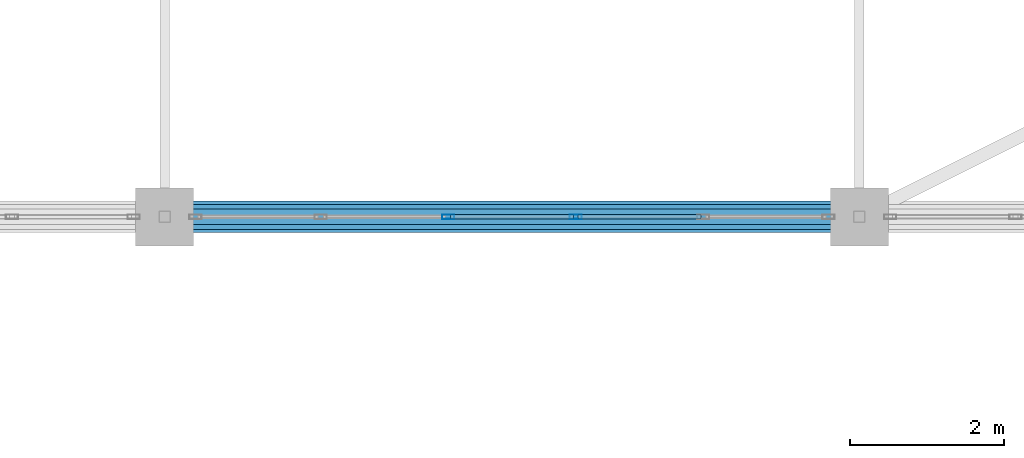
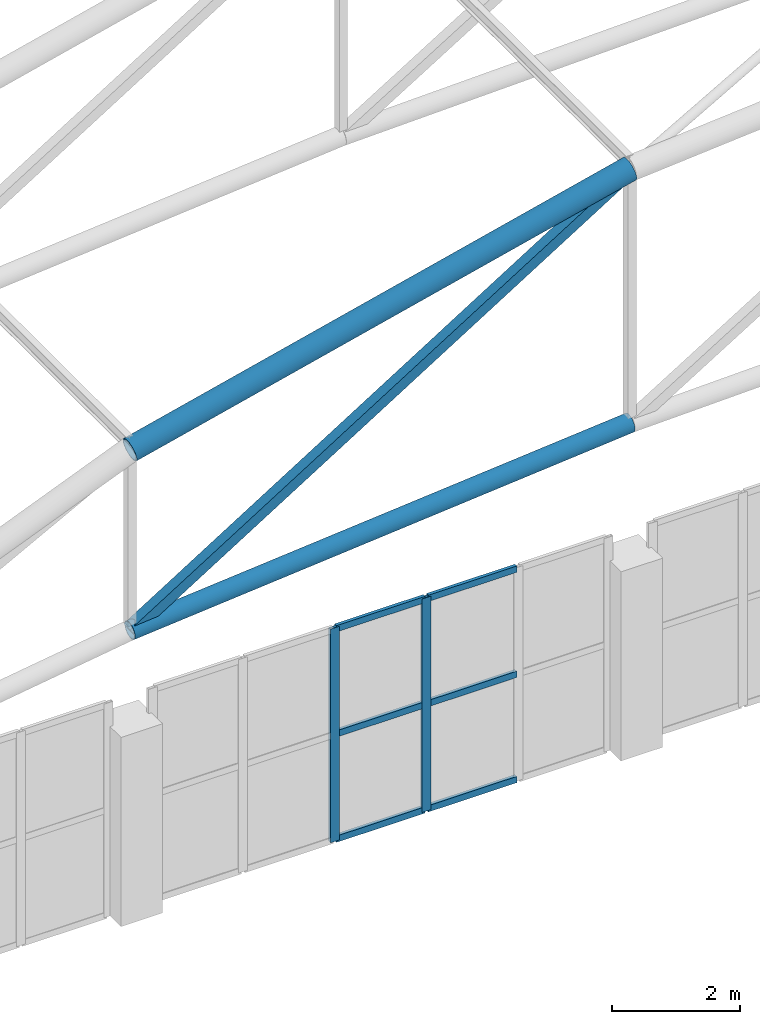
# One storey, part 5 of 167: 11 members, 1 element without a shape of its own.
"""IFC4 building model written with IfcOpenShell, lengths in metres."""

from ifc_helpers import new_model, si_unit, direction, frame, origin, origin_2d, place, context, subcontext, project, spatial, hollow_rectangle, hollow_circle, extrude, material, layer, layer_set, material_profile, profile_set, type_object, element, aggregate, save


model = new_model("IFC4")

# Units and contexts
model_context = context("Model", 3, precision=1e-05, world=origin(), true_north=direction((0.0, 1.0)))
body_context = subcontext(model_context, "Body", "Model", "MODEL_VIEW")
ifc_project = project(units=[si_unit("LENGTHUNIT", "METRE"), si_unit("AREAUNIT", "SQUARE_METRE"), si_unit("VOLUMEUNIT", "CUBIC_METRE"), si_unit("PLANEANGLEUNIT", "RADIAN"), si_unit("MASSUNIT", "GRAM", prefix="KILO")], contexts=[model_context])

# Site, building, storey
site_placement = place(None, origin())
site = spatial("IfcSite", under=ifc_project, at=site_placement, CompositionType="ELEMENT")
building_placement = place(site_placement, origin())
building = spatial("IfcBuilding", under=site, at=building_placement, Name="Dornveld Trade and Exhibition Forum", CompositionType="ELEMENT")
storey_placement = place(building_placement, frame((0.0, 0.0, 16.800048828125)))
storey = spatial("IfcBuildingStorey", under=building, at=storey_placement, Name="L03", CompositionType="ELEMENT", Elevation=16.800048828125)

# Curtain wall, members
ifc_material_1 = material(Name="Dark-bronze anodised aluminium and low-E glass", Category="aluminium")
ifc_layer = layer(ifc_material_1, 0.18701171875)
ifc_layer_set = layer_set([ifc_layer], Name="Dark-bronze anodised aluminium and low-E glass")
curtain_wall_type = type_object("IfcCurtainWallType", Name="CW-SYS-15", PredefinedType="USERDEFINED", material=ifc_layer_set)
curtain_wall_placement = place(storey_placement, origin())
curtain_wall = element("IfcCurtainWall", 1, at=curtain_wall_placement, inside=storey, type_object=curtain_wall_type, Name="L03 unitised curtain wall 33", ObjectType="UNITISED_CURTAIN_WALL", PredefinedType="USERDEFINED")
ifc_material_2 = material(Name="Dark-bronze anodised aluminium", Category="aluminium")
ifc_material_profile_1 = material_profile(ifc_material_2, hollow_rectangle(XDim=0.06005859375, YDim=0.159912109375, WallThickness=0.00390625, at=origin_2d()), Name="RHS 160x60x4")
ifc_profile_set_1 = profile_set([ifc_material_profile_1], Name="Dark-bronze anodised aluminium")
member_type_1 = type_object("IfcMemberType", Name="CW-MUL-160", PredefinedType="MULLION", material=ifc_profile_set_1)
member_1_placement = place(storey_placement, frame((39.67431640625, 36.0, -0.004150390625), z_axis=(0.0, 0.0, 1.0), x_axis=(0.0, 1.0, 0.0)))
member_1 = element("IfcMember", 2, at=member_1_placement, type_object=member_type_1, Name="CW-15 mullion 3", PredefinedType="MULLION", context=body_context, shape_type="SweptSolid", body=[
    extrude(hollow_rectangle(XDim=0.06005859375, YDim=0.159912109375, WallThickness=0.00390625, at=origin_2d()), origin(), (0.0, 0.0, 1.0), 4.064208984375),
])
member_2_placement = place(storey_placement, frame((41.32568359375, 36.0, -0.004150390625), z_axis=(0.0, 0.0, 1.0), x_axis=(0.0, 1.0, 0.0)))
member_2 = element("IfcMember", 3, at=member_2_placement, type_object=member_type_1, Name="CW-15 mullion 4", PredefinedType="MULLION", context=body_context, shape_type="SweptSolid", body=[
    extrude(hollow_rectangle(XDim=0.06005859375, YDim=0.159912109375, WallThickness=0.00390625, at=origin_2d()), origin(), (0.0, 0.0, 1.0), 4.064208984375),
])
ifc_material_3 = material(Name="Dark-bronze anodised aluminium", Category="aluminium")
ifc_material_profile_2 = material_profile(ifc_material_3, hollow_rectangle(XDim=0.06005859375, YDim=0.1201171875, WallThickness=0.00390625, at=origin_2d()), Name="RHS 120x60x4")
ifc_profile_set_2 = profile_set([ifc_material_profile_2], Name="Dark-bronze anodised aluminium")
member_type_2 = type_object("IfcMemberType", Name="CW-TRN-120", PredefinedType="USERDEFINED", material=ifc_profile_set_2)
member_3_placement = place(storey_placement, frame((39.7041015625, 36.0, 0.02587890625), z_axis=(1.0, 0.0, 0.0), x_axis=(0.0, 1.0, 0.0)))
member_3 = element("IfcMember", 4, at=member_3_placement, type_object=member_type_2, Name="CW-15 transom 3.1", ObjectType="TRANSOM", PredefinedType="USERDEFINED", context=body_context, shape_type="SweptSolid", body=[
    extrude(hollow_rectangle(XDim=0.06005859375, YDim=0.1201171875, WallThickness=0.00390625, at=origin_2d()), origin(), (0.0, 0.0, 1.0), 1.591796875),
])
member_4_placement = place(storey_placement, frame((39.7041015625, 36.0, 2.02783203125), z_axis=(1.0, 0.0, 0.0), x_axis=(0.0, 1.0, 0.0)))
member_4 = element("IfcMember", 5, at=member_4_placement, type_object=member_type_2, Name="CW-15 transom 3.2", ObjectType="TRANSOM", PredefinedType="USERDEFINED", context=body_context, shape_type="SweptSolid", body=[
    extrude(hollow_rectangle(XDim=0.06005859375, YDim=0.1201171875, WallThickness=0.00390625, at=origin_2d()), origin(), (0.0, 0.0, 1.0), 1.591796875),
])
member_5_placement = place(storey_placement, frame((39.7041015625, 36.0, 4.030029296875), z_axis=(1.0, 0.0, 0.0), x_axis=(0.0, 1.0, 0.0)))
member_5 = element("IfcMember", 6, at=member_5_placement, type_object=member_type_2, Name="CW-15 transom 3.3", ObjectType="TRANSOM", PredefinedType="USERDEFINED", context=body_context, shape_type="SweptSolid", body=[
    extrude(hollow_rectangle(XDim=0.06005859375, YDim=0.1201171875, WallThickness=0.00390625, at=origin_2d()), origin(), (0.0, 0.0, 1.0), 1.591796875),
])
member_6_placement = place(storey_placement, frame((41.355712890625, 36.0, 0.02587890625), z_axis=(1.0, 0.0, 0.0), x_axis=(0.0, 1.0, 0.0)))
member_6 = element("IfcMember", 7, at=member_6_placement, type_object=member_type_2, Name="CW-15 transom 4.1", ObjectType="TRANSOM", PredefinedType="USERDEFINED", context=body_context, shape_type="SweptSolid", body=[
    extrude(hollow_rectangle(XDim=0.06005859375, YDim=0.1201171875, WallThickness=0.00390625, at=origin_2d()), origin(), (0.0, 0.0, 1.0), 1.591796875),
])
member_7_placement = place(storey_placement, frame((41.355712890625, 36.0, 2.02783203125), z_axis=(1.0, 0.0, 0.0), x_axis=(0.0, 1.0, 0.0)))
member_7 = element("IfcMember", 8, at=member_7_placement, type_object=member_type_2, Name="CW-15 transom 4.2", ObjectType="TRANSOM", PredefinedType="USERDEFINED", context=body_context, shape_type="SweptSolid", body=[
    extrude(hollow_rectangle(XDim=0.06005859375, YDim=0.1201171875, WallThickness=0.00390625, at=origin_2d()), origin(), (0.0, 0.0, 1.0), 1.591796875),
])
member_8_placement = place(storey_placement, frame((41.355712890625, 36.0, 4.030029296875), z_axis=(1.0, 0.0, 0.0), x_axis=(0.0, 1.0, 0.0)))
member_8 = element("IfcMember", 9, at=member_8_placement, type_object=member_type_2, Name="CW-15 transom 4.3", ObjectType="TRANSOM", PredefinedType="USERDEFINED", context=body_context, shape_type="SweptSolid", body=[
    extrude(hollow_rectangle(XDim=0.06005859375, YDim=0.1201171875, WallThickness=0.00390625, at=origin_2d()), origin(), (0.0, 0.0, 1.0), 1.591796875),
])
aggregate(curtain_wall, [member_1, member_2, member_3, member_4, member_5, member_6, member_7, member_8])

# Members
ifc_material_4 = material(Name="Steel S355J2", Category="steel")
ifc_material_profile_3 = material_profile(ifc_material_4, hollow_circle(Radius=0.161865234375, WallThickness=0.01611328125, at=origin_2d()), Name="CHS 323.9x16")
ifc_profile_set_3 = profile_set([ifc_material_profile_3], Name="Steel S355J2")
member_type_3 = type_object("IfcMemberType", Name="MEM-ARCH-BC", PredefinedType="CHORD", material=ifc_profile_set_3)
member_9_placement = place(storey_placement, frame((36.0, 36.0, 5.283203125), z_axis=(0.996072164085, 0.0, 0.088545151956), x_axis=(0.0, 1.0, 0.0)))
element("IfcMember", 10, at=member_9_placement, inside=storey, type_object=member_type_3, Name="H3 truss 1 tie chord 2", PredefinedType="CHORD", context=body_context, shape_type="SweptSolid", body=[
    extrude(hollow_circle(Radius=0.161865234375, WallThickness=0.01611328125, at=origin_2d()), origin(), (0.0, 0.0, 1.0), 9.035400390625),
])
ifc_material_5 = material(Name="Steel S355J2", Category="steel")
ifc_material_profile_4 = material_profile(ifc_material_5, hollow_circle(Radius=0.203125, WallThickness=0.02001953125, at=origin_2d()), Name="CHS 406.4x20")
ifc_profile_set_4 = profile_set([ifc_material_profile_4], Name="Steel S355J2")
member_type_4 = type_object("IfcMemberType", Name="MEM-ARCH-TC", PredefinedType="CHORD", material=ifc_profile_set_4)
member_10_placement = place(storey_placement, frame((36.0, 36.0, 8.716552734375), z_axis=(0.971394143806, 0.0, 0.237472982421), x_axis=(0.0, 1.0, 0.0)))
element("IfcMember", 11, at=member_10_placement, inside=storey, type_object=member_type_4, Name="H3 truss 1 top chord 2", PredefinedType="CHORD", context=body_context, shape_type="SweptSolid", body=[
    extrude(hollow_circle(Radius=0.203125, WallThickness=0.02001953125, at=origin_2d()), origin(), (0.0, 0.0, 1.0), 9.26513671875),
])
ifc_material_6 = material(Name="Steel S355J2", Category="steel")
ifc_material_profile_5 = material_profile(ifc_material_6, hollow_rectangle(XDim=0.199951171875, YDim=0.199951171875, WallThickness=0.010009765625, at=origin_2d()), Name="SHS 200x200x10")
ifc_profile_set_5 = profile_set([ifc_material_profile_5], Name="Steel S355J2")
member_type_5 = type_object("IfcMemberType", Name="MEM-ARCH-WEB", PredefinedType="BRACE", material=ifc_profile_set_5)
member_11_placement = place(storey_placement, frame((36.0, 36.0, 5.283203125), z_axis=(0.84763640931, 0.0, 0.53057753214), x_axis=(0.0, 1.0, 0.0)))
element("IfcMember", 12, at=member_11_placement, inside=storey, type_object=member_type_5, Name="H3 truss 1 web 2", PredefinedType="BRACE", context=body_context, shape_type="SweptSolid", body=[
    extrude(hollow_rectangle(XDim=0.199951171875, YDim=0.199951171875, WallThickness=0.010009765625, at=origin_2d()), origin(), (0.0, 0.0, 1.0), 10.61767578125),
])

save(model, "model.ifc")
